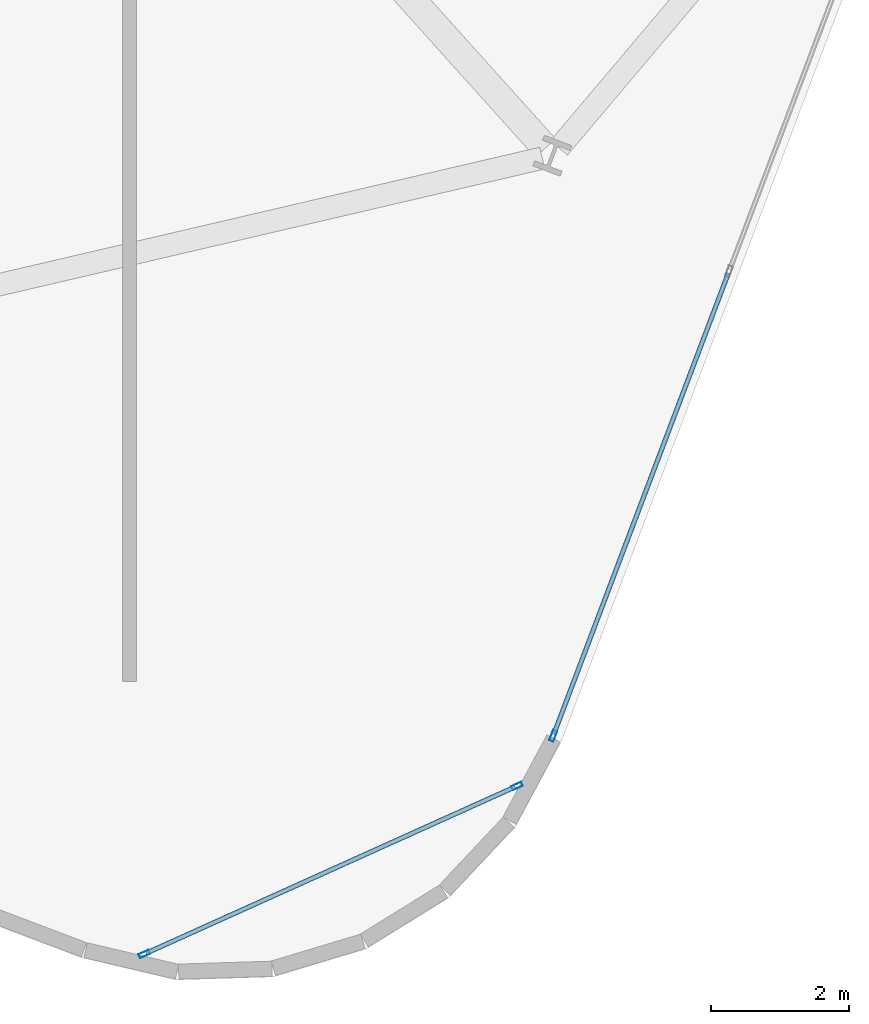
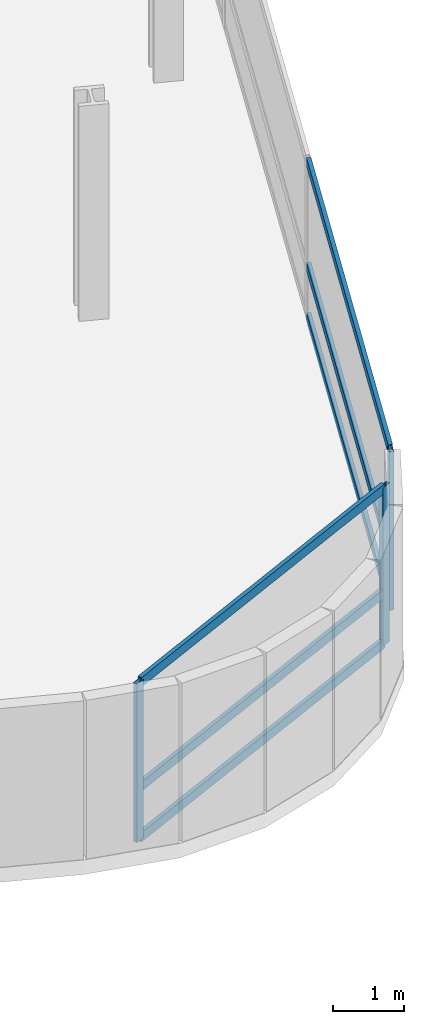
# One storey, part 10 of 25: 9 members, 2 elements without a shape of their own.
"""IFC4 building model written with IfcOpenShell, lengths in metres."""

from ifc_helpers import new_model, si_unit, direction, frame, origin, origin_2d, place, context, subcontext, project, spatial, hollow_rectangle, extrude, material, layer, layer_set, material_profile, profile_set, type_object, element, aggregate, save


model = new_model("IFC4")

# Units and contexts
model_context = context("Model", 3, precision=1e-05, world=origin(), true_north=direction((0.0, 1.0)))
body_context = subcontext(model_context, "Body", "Model", "MODEL_VIEW")
ifc_project = project(units=[si_unit("LENGTHUNIT", "METRE"), si_unit("AREAUNIT", "SQUARE_METRE"), si_unit("VOLUMEUNIT", "CUBIC_METRE"), si_unit("PLANEANGLEUNIT", "RADIAN"), si_unit("MASSUNIT", "GRAM", prefix="KILO")], contexts=[model_context])

# Site, building, storey
site_placement = place(None, origin())
site = spatial("IfcSite", under=ifc_project, at=site_placement, CompositionType="ELEMENT")
building_placement = place(site_placement, origin())
building = spatial("IfcBuilding", under=site, at=building_placement, Name="Varnelok Gate Tower", CompositionType="ELEMENT")
storey_placement = place(building_placement, frame((0.0, 0.0, 76.199951171875)))
storey = spatial("IfcBuildingStorey", under=building, at=storey_placement, Name="L18", CompositionType="ELEMENT", Elevation=76.199951171875)

# Curtain wall, member
ifc_material = material(Name="Anodized Aluminum Alloy 6063-T6", Category="aluminium")
ifc_layer_1 = layer(ifc_material, 0.179931640625)
ifc_layer_set_1 = layer_set([ifc_layer_1], Name="Anodized Aluminum Alloy 6063-T6")
curtain_wall_type_1 = type_object("IfcCurtainWallType", Name="CW3-HOTEL-VISION", PredefinedType="USERDEFINED", material=ifc_layer_set_1)
curtain_wall_1_placement = place(storey_placement, origin())
curtain_wall_1 = element("IfcCurtainWall", 1, at=curtain_wall_1_placement, inside=storey, type_object=curtain_wall_type_1, Name="L18 East End Vision Curtain Wall", ObjectType="UNITISED CURTAIN WALL", PredefinedType="USERDEFINED")
ifc_material_profile_1 = material_profile(ifc_material, hollow_rectangle(XDim=0.06494140625, YDim=0.159912109375, WallThickness=0.00390625, at=origin_2d()), Name="ALU160X65X4")
ifc_profile_set_1 = profile_set([ifc_material_profile_1], Name="Anodized Aluminum Alloy 6063-T6")
member_type_1 = type_object("IfcMemberType", Name="CW-MULL-160", PredefinedType="MULLION", material=ifc_profile_set_1)
member_1_placement = place(storey_placement, frame((67.6494140625, -4.78955078125, 0.0), z_axis=(0.0, 0.0, 1.0), x_axis=(0.935221323688, -0.354063660545, 0.0)))
member_1 = element("IfcMember", 2, at=member_1_placement, type_object=member_type_1, Name="CW3 mullion 6", PredefinedType="MULLION", context=body_context, shape_type="SweptSolid", body=[
    extrude(hollow_rectangle(XDim=0.06494140625, YDim=0.159912109375, WallThickness=0.00390625, at=origin_2d()), origin(), (0.0, 0.0, 1.0), 2.72998046875),
])

# Curtain wall, members
ifc_layer_2 = layer(ifc_material, 0.179931640625)
ifc_layer_set_2 = layer_set([ifc_layer_2], Name="Anodized Aluminum Alloy 6063-T6")
curtain_wall_type_2 = type_object("IfcCurtainWallType", Name="CW5-WINDCORNER-GLAZ", PredefinedType="USERDEFINED", material=ifc_layer_set_2)
curtain_wall_2_placement = place(storey_placement, origin())
curtain_wall_2 = element("IfcCurtainWall", 3, at=curtain_wall_2_placement, inside=storey, type_object=curtain_wall_type_2, Name="L18 Wind-Shaped Corner Curtain Wall SE", ObjectType="STRUCTURAL GLAZING", PredefinedType="USERDEFINED")
member_2_placement = place(storey_placement, frame((61.7177734375, -7.953857421875, 0.0), z_axis=(0.0, 0.0, 1.0), x_axis=(-0.41094361693, 0.911660761306, 0.0)))
member_2 = element("IfcMember", 4, at=member_2_placement, type_object=member_type_1, Name="CW5 mullion 1", PredefinedType="MULLION", context=body_context, shape_type="SweptSolid", body=[
    extrude(hollow_rectangle(XDim=0.06494140625, YDim=0.159912109375, WallThickness=0.00390625, at=origin_2d()), origin(), (0.0, 0.0, 1.0), 2.72998046875),
])
member_3_placement = place(storey_placement, frame((67.125, -5.516357421875, 0.0), z_axis=(0.0, 0.0, 1.0), x_axis=(-0.41094361693, 0.911660761306, 0.0)))
member_3 = element("IfcMember", 5, at=member_3_placement, type_object=member_type_1, Name="CW5 mullion 2", PredefinedType="MULLION", context=body_context, shape_type="SweptSolid", body=[
    extrude(hollow_rectangle(XDim=0.06494140625, YDim=0.159912109375, WallThickness=0.00390625, at=origin_2d()), origin(), (0.0, 0.0, 1.0), 2.72998046875),
])

# Member
ifc_material_profile_2 = material_profile(ifc_material, hollow_rectangle(XDim=0.06494140625, YDim=0.159912109375, WallThickness=0.00390625, at=origin_2d()), Name="ALU160X65X4")
ifc_profile_set_2 = profile_set([ifc_material_profile_2], Name="Anodized Aluminum Alloy 6063-T6")
member_type_2 = type_object("IfcMemberType", Name="CW-TRAN-160", PredefinedType="USERDEFINED", material=ifc_profile_set_2)
member_4_placement = place(storey_placement, frame((70.189697265625, 1.920654296875, 0.032470703125), z_axis=(-0.354058568643, -0.935223251406, 0.0), x_axis=(0.935223251406, -0.354058568643, 0.0)))
member_4 = element("IfcMember", 6, at=member_4_placement, type_object=member_type_2, Name="CW3 transom 5.1", ObjectType="TRANSOM", PredefinedType="USERDEFINED", context=body_context, shape_type="SweptSolid", body=[
    extrude(hollow_rectangle(XDim=0.06494140625, YDim=0.159912109375, WallThickness=0.00390625, at=origin_2d()), origin(), (0.0, 0.0, 1.0), 7.142333984375),
])

member_5_placement = place(storey_placement, frame((70.189697265625, 1.920654296875, 0.900146484375), z_axis=(-0.354058568643, -0.935223251406, 0.0), x_axis=(0.935223251406, -0.354058568643, 0.0)))
member_5 = element("IfcMember", 7, at=member_5_placement, type_object=member_type_2, Name="CW3 transom 5.2", ObjectType="TRANSOM", PredefinedType="USERDEFINED", context=body_context, shape_type="SweptSolid", body=[
    extrude(hollow_rectangle(XDim=0.06494140625, YDim=0.159912109375, WallThickness=0.00390625, at=origin_2d()), origin(), (0.0, 0.0, 1.0), 7.142333984375),
])

member_6_placement = place(storey_placement, frame((70.189697265625, 1.920654296875, 2.697509765625), z_axis=(-0.354058568643, -0.935223251406, 0.0), x_axis=(0.935223251406, -0.354058568643, 0.0)))
member_6 = element("IfcMember", 8, at=member_6_placement, type_object=member_type_2, Name="CW3 transom 5.3", ObjectType="TRANSOM", PredefinedType="USERDEFINED", context=body_context, shape_type="SweptSolid", body=[
    extrude(hollow_rectangle(XDim=0.06494140625, YDim=0.159912109375, WallThickness=0.00390625, at=origin_2d()), origin(), (0.0, 0.0, 1.0), 7.142333984375),
])

aggregate(curtain_wall_1, [member_1, member_4, member_5, member_6])

member_7_placement = place(storey_placement, frame((61.747314453125, -7.9404296875, 0.032470703125), z_axis=(0.911667474116, 0.410928724524, 0.0), x_axis=(-0.410928724524, 0.911667474116, 0.0)))
member_7 = element("IfcMember", 9, at=member_7_placement, type_object=member_type_2, Name="CW5 transom 1.1", ObjectType="TRANSOM", PredefinedType="USERDEFINED", context=body_context, shape_type="SweptSolid", body=[
    extrude(hollow_rectangle(XDim=0.06494140625, YDim=0.159912109375, WallThickness=0.00390625, at=origin_2d()), origin(), (0.0, 0.0, 1.0), 5.8662109375),
])

member_8_placement = place(storey_placement, frame((61.747314453125, -7.9404296875, 0.900146484375), z_axis=(0.911667474116, 0.410928724524, 0.0), x_axis=(-0.410928724524, 0.911667474116, 0.0)))
member_8 = element("IfcMember", 10, at=member_8_placement, type_object=member_type_2, Name="CW5 transom 1.2", ObjectType="TRANSOM", PredefinedType="USERDEFINED", context=body_context, shape_type="SweptSolid", body=[
    extrude(hollow_rectangle(XDim=0.06494140625, YDim=0.159912109375, WallThickness=0.00390625, at=origin_2d()), origin(), (0.0, 0.0, 1.0), 5.8662109375),
])

member_9_placement = place(storey_placement, frame((61.747314453125, -7.9404296875, 2.697509765625), z_axis=(0.911667474116, 0.410928724524, 0.0), x_axis=(-0.410928724524, 0.911667474116, 0.0)))
member_9 = element("IfcMember", 11, at=member_9_placement, type_object=member_type_2, Name="CW5 transom 1.3", ObjectType="TRANSOM", PredefinedType="USERDEFINED", context=body_context, shape_type="SweptSolid", body=[
    extrude(hollow_rectangle(XDim=0.06494140625, YDim=0.159912109375, WallThickness=0.00390625, at=origin_2d()), origin(), (0.0, 0.0, 1.0), 5.8662109375),
])

aggregate(curtain_wall_2, [member_2, member_3, member_7, member_8, member_9])

save(model, "model.ifc")
